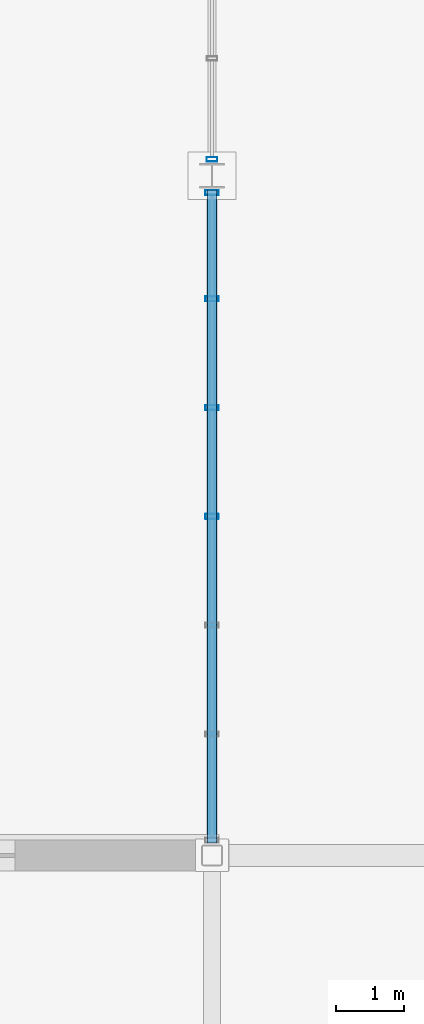
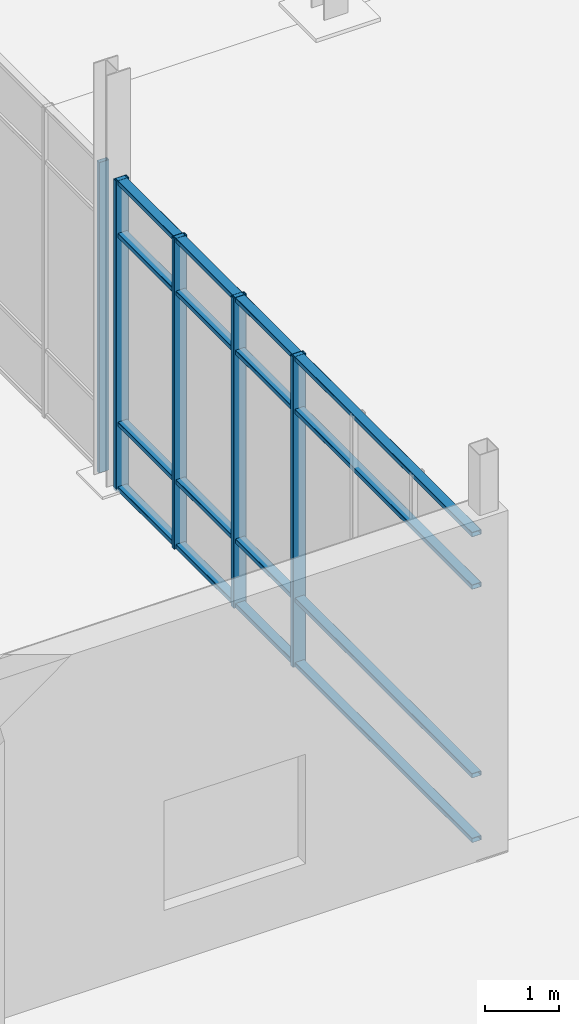
# One storey, part 56 of 140: 9 members, 2 elements without a shape of their own.
"""IFC4 building model written with IfcOpenShell, lengths in metres."""

from ifc_helpers import new_model, si_unit, direction, frame, origin, origin_2d, place, context, subcontext, project, spatial, hollow_rectangle, extrude, material, material_profile, profile_set, type_object, element, aggregate, save


model = new_model("IFC4")

# Units and contexts
model_context = context("Model", 3, precision=1e-05, world=origin(), true_north=direction((0.0, 1.0)))
body_context = subcontext(model_context, "Body", "Model", "MODEL_VIEW")
ifc_project = project(units=[si_unit("LENGTHUNIT", "METRE"), si_unit("AREAUNIT", "SQUARE_METRE"), si_unit("VOLUMEUNIT", "CUBIC_METRE"), si_unit("PLANEANGLEUNIT", "RADIAN"), si_unit("MASSUNIT", "GRAM", prefix="KILO")], contexts=[model_context])

# Site, building, storey
site_placement = place(None, origin())
site = spatial("IfcSite", under=ifc_project, at=site_placement, CompositionType="ELEMENT")
building_placement = place(site_placement, origin())
building = spatial("IfcBuilding", under=site, at=building_placement, Name="Verrall Gate Interchange", CompositionType="ELEMENT")
storey_placement = place(building_placement, origin())
storey = spatial("IfcBuildingStorey", under=building, at=storey_placement, Name="L01", CompositionType="ELEMENT", Elevation=0.0)

# Curtain wall, member
ifc_material_1 = material(Name="Thermally Broken Anodized Aluminium Curtain Wall Framing", Category="aluminium")
curtain_wall_type_1 = type_object("IfcCurtainWallType", Name="CW-06 Unitized Curtain Wall 7631x5100", PredefinedType="NOTDEFINED", material=ifc_material_1)
curtain_wall_1_placement = place(storey_placement, origin())
curtain_wall_1 = element("IfcCurtainWall", 1, at=curtain_wall_1_placement, inside=storey, type_object=curtain_wall_type_1, Name="L01 Unitized Curtain Wall CW-L01-022", PredefinedType="NOTDEFINED")
ifc_material_2 = material(Name="Thermally Broken Anodized Aluminium Curtain Wall Framing", Category="aluminium")
ifc_material_profile_1 = material_profile(ifc_material_2, hollow_rectangle(XDim=0.06494140625, YDim=0.159912109375, WallThickness=0.00390625, InnerFilletRadius=0.00390625, OuterFilletRadius=0.008056640625, at=origin_2d()), Name="CWM160x65x4")
ifc_profile_set_1 = profile_set([ifc_material_profile_1], Name="Thermally Broken Anodized Aluminium Curtain Wall Framing")
member_type_1 = type_object("IfcMemberType", Name="CM-01 Curtain Mullion CWM160x65x4", PredefinedType="MULLION", material=ifc_profile_set_1)
member_1_placement = place(storey_placement, frame((44.0, 66.242431640625, 0.0), z_axis=(0.0, 0.0, 1.0), x_axis=(0.0, 1.0, 0.0)))
member_1 = element("IfcMember", 2, at=member_1_placement, type_object=member_type_1, Name="CW-L01-022 Mullion 1", PredefinedType="MULLION", context=body_context, shape_type="SweptSolid", body=[
    extrude(hollow_rectangle(XDim=0.06494140625, YDim=0.159912109375, WallThickness=0.00390625, InnerFilletRadius=0.00390625, OuterFilletRadius=0.008056640625, at=origin_2d()), origin(), (0.0, 0.0, 1.0), 5.10009765625),
])
aggregate(curtain_wall_1, [member_1])

# Curtain wall, members
ifc_material_3 = material(Name="Thermally Broken Anodized Aluminium Curtain Wall Framing", Category="aluminium")
curtain_wall_type_2 = type_object("IfcCurtainWallType", Name="CW-07 Unitized Curtain Wall 9606x5100", PredefinedType="NOTDEFINED", material=ifc_material_3)
curtain_wall_2_placement = place(storey_placement, origin())
curtain_wall_2 = element("IfcCurtainWall", 3, at=curtain_wall_2_placement, inside=storey, type_object=curtain_wall_type_2, Name="L01 Unitized Curtain Wall CW-L01-021", PredefinedType="NOTDEFINED")
ifc_material_4 = material(Name="Thermally Broken Anodized Aluminium Curtain Wall Framing", Category="aluminium")
ifc_material_profile_2 = material_profile(ifc_material_4, hollow_rectangle(XDim=0.074951171875, YDim=0.199951171875, WallThickness=0.0048828125, InnerFilletRadius=0.0048828125, OuterFilletRadius=0.010009765625, at=origin_2d()), Name="CWM200x75x5")
ifc_profile_set_2 = profile_set([ifc_material_profile_2], Name="Thermally Broken Anodized Aluminium Curtain Wall Framing")
member_type_2 = type_object("IfcMemberType", Name="CM-02 Curtain Mullion CWM200x75x5", PredefinedType="MULLION", material=ifc_profile_set_2)
member_2_placement = place(storey_placement, frame((44.0, 60.9873046875, 0.0), z_axis=(0.0, 0.0, 1.0), x_axis=(0.0, 1.0, 0.0)))
member_2 = element("IfcMember", 4, at=member_2_placement, type_object=member_type_2, Name="CW-L01-021 Mullion 4", PredefinedType="MULLION", context=body_context, shape_type="SweptSolid", body=[
    extrude(hollow_rectangle(XDim=0.074951171875, YDim=0.199951171875, WallThickness=0.0048828125, InnerFilletRadius=0.0048828125, OuterFilletRadius=0.010009765625, at=origin_2d()), origin(), (0.0, 0.0, 1.0), 5.10009765625),
])
member_3_placement = place(storey_placement, frame((44.0, 62.588134765625, 0.0), z_axis=(0.0, 0.0, 1.0), x_axis=(0.0, 1.0, 0.0)))
member_3 = element("IfcMember", 5, at=member_3_placement, type_object=member_type_2, Name="CW-L01-021 Mullion 5", PredefinedType="MULLION", context=body_context, shape_type="SweptSolid", body=[
    extrude(hollow_rectangle(XDim=0.074951171875, YDim=0.199951171875, WallThickness=0.0048828125, InnerFilletRadius=0.0048828125, OuterFilletRadius=0.010009765625, at=origin_2d()), origin(), (0.0, 0.0, 1.0), 5.10009765625),
])
member_4_placement = place(storey_placement, frame((44.0, 64.189208984375, 0.0), z_axis=(0.0, 0.0, 1.0), x_axis=(0.0, 1.0, 0.0)))
member_4 = element("IfcMember", 6, at=member_4_placement, type_object=member_type_2, Name="CW-L01-021 Mullion 6", PredefinedType="MULLION", context=body_context, shape_type="SweptSolid", body=[
    extrude(hollow_rectangle(XDim=0.074951171875, YDim=0.199951171875, WallThickness=0.0048828125, InnerFilletRadius=0.0048828125, OuterFilletRadius=0.010009765625, at=origin_2d()), origin(), (0.0, 0.0, 1.0), 5.10009765625),
])
member_5_placement = place(storey_placement, frame((44.0, 65.75244140625, 0.0), z_axis=(0.0, 0.0, 1.0), x_axis=(0.0, 1.0, 0.0)))
member_5 = element("IfcMember", 7, at=member_5_placement, type_object=member_type_2, Name="CW-L01-021 Mullion 7", PredefinedType="MULLION", context=body_context, shape_type="SweptSolid", body=[
    extrude(hollow_rectangle(XDim=0.074951171875, YDim=0.199951171875, WallThickness=0.0048828125, InnerFilletRadius=0.0048828125, OuterFilletRadius=0.010009765625, at=origin_2d()), origin(), (0.0, 0.0, 1.0), 5.10009765625),
])
ifc_material_5 = material(Name="Thermally Broken Anodized Aluminium Curtain Wall Framing", Category="aluminium")
ifc_material_profile_3 = material_profile(ifc_material_5, hollow_rectangle(XDim=0.14990234375, YDim=0.074951171875, WallThickness=0.00439453125, InnerFilletRadius=0.00439453125, OuterFilletRadius=0.009033203125, at=origin_2d()), Name="CWT150x75x4.5")
ifc_profile_set_3 = profile_set([ifc_material_profile_3], Name="Thermally Broken Anodized Aluminium Curtain Wall Framing")
member_type_3 = type_object("IfcMemberType", Name="CT-02 Curtain Transom CWT150x75x4.5", PredefinedType="USERDEFINED", material=ifc_profile_set_3)
member_6_placement = place(storey_placement, frame((44.0, 56.1845703125, 0.03759765625), z_axis=(0.0, 1.0, 0.0), x_axis=(-1.0, 0.0, 0.0)))
member_6 = element("IfcMember", 8, at=member_6_placement, type_object=member_type_3, Name="CW-L01-021 Transom 1", ObjectType="TRANSOM", PredefinedType="USERDEFINED", context=body_context, shape_type="SweptSolid", body=[
    extrude(hollow_rectangle(XDim=0.14990234375, YDim=0.074951171875, WallThickness=0.00439453125, InnerFilletRadius=0.00439453125, OuterFilletRadius=0.009033203125, at=origin_2d()), origin(), (0.0, 0.0, 1.0), 9.60546875),
])
member_7_placement = place(storey_placement, frame((44.0, 56.1845703125, 1.10009765625), z_axis=(0.0, 1.0, 0.0), x_axis=(-1.0, 0.0, 0.0)))
member_7 = element("IfcMember", 9, at=member_7_placement, type_object=member_type_3, Name="CW-L01-021 Transom 2", ObjectType="TRANSOM", PredefinedType="USERDEFINED", context=body_context, shape_type="SweptSolid", body=[
    extrude(hollow_rectangle(XDim=0.14990234375, YDim=0.074951171875, WallThickness=0.00439453125, InnerFilletRadius=0.00439453125, OuterFilletRadius=0.009033203125, at=origin_2d()), origin(), (0.0, 0.0, 1.0), 9.60546875),
])
member_8_placement = place(storey_placement, frame((44.0, 56.1845703125, 4.199951171875), z_axis=(0.0, 1.0, 0.0), x_axis=(-1.0, 0.0, 0.0)))
member_8 = element("IfcMember", 10, at=member_8_placement, type_object=member_type_3, Name="CW-L01-021 Transom 3", ObjectType="TRANSOM", PredefinedType="USERDEFINED", context=body_context, shape_type="SweptSolid", body=[
    extrude(hollow_rectangle(XDim=0.14990234375, YDim=0.074951171875, WallThickness=0.00439453125, InnerFilletRadius=0.00439453125, OuterFilletRadius=0.009033203125, at=origin_2d()), origin(), (0.0, 0.0, 1.0), 9.60546875),
])
member_9_placement = place(storey_placement, frame((44.0, 56.1845703125, 5.0625), z_axis=(0.0, 1.0, 0.0), x_axis=(-1.0, 0.0, 0.0)))
member_9 = element("IfcMember", 11, at=member_9_placement, type_object=member_type_3, Name="CW-L01-021 Transom 4", ObjectType="TRANSOM", PredefinedType="USERDEFINED", context=body_context, shape_type="SweptSolid", body=[
    extrude(hollow_rectangle(XDim=0.14990234375, YDim=0.074951171875, WallThickness=0.00439453125, InnerFilletRadius=0.00439453125, OuterFilletRadius=0.009033203125, at=origin_2d()), origin(), (0.0, 0.0, 1.0), 9.60546875),
])
aggregate(curtain_wall_2, [member_2, member_3, member_4, member_5, member_6, member_7, member_8, member_9])

save(model, "model.ifc")
